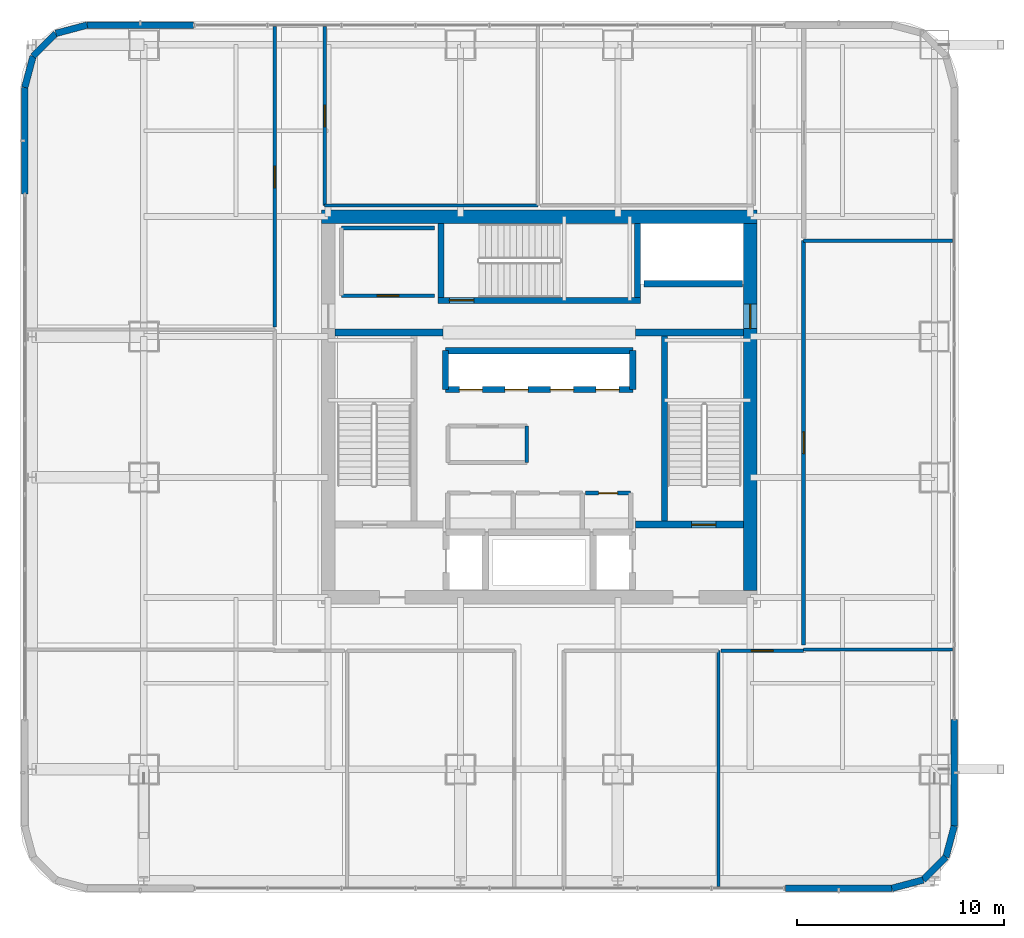
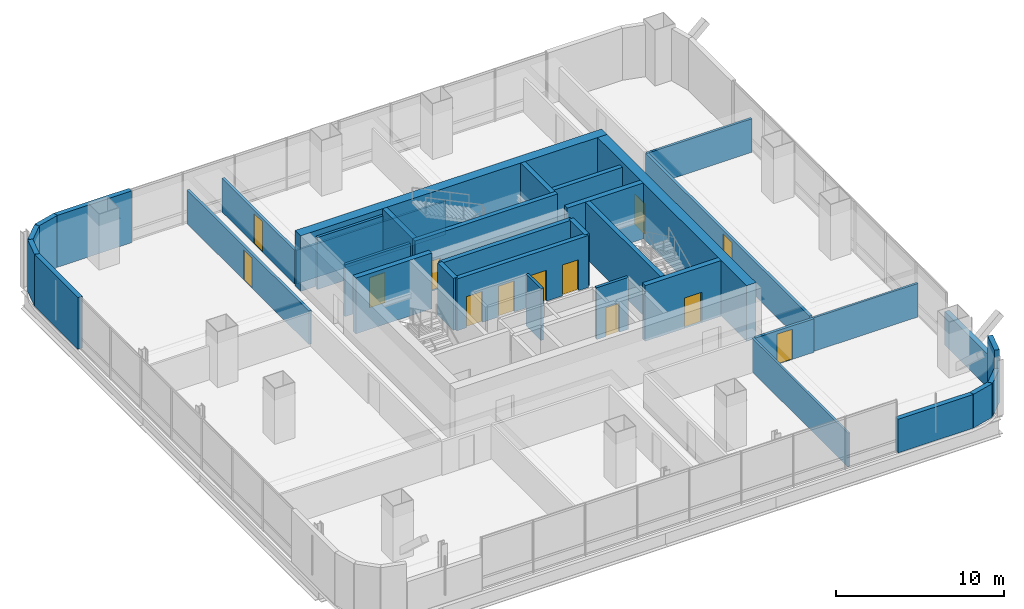
# One storey, part 33 of 46: 36 walls, 13 doors, 13 openings.
"""IFC4 building model written with IfcOpenShell, lengths in metres."""

from ifc_helpers import new_model, si_unit, direction, frame, frame_2d, origin, place, context, subcontext, project, spatial, rectangle, extrude, material, layer, layer_set, type_object, element, fill, save


model = new_model("IFC4")

# Units and contexts
model_context = context("Model", 3, precision=1e-05, world=origin(), true_north=direction((0.0, 1.0)))
body_context = subcontext(model_context, "Body", "Model", "MODEL_VIEW")
ifc_project = project(units=[si_unit("LENGTHUNIT", "METRE"), si_unit("AREAUNIT", "SQUARE_METRE"), si_unit("VOLUMEUNIT", "CUBIC_METRE"), si_unit("PLANEANGLEUNIT", "RADIAN"), si_unit("MASSUNIT", "GRAM", prefix="KILO")], contexts=[model_context])

# Site, building, storey
site_placement = place(None, origin())
site = spatial("IfcSite", under=ifc_project, at=site_placement, CompositionType="ELEMENT")
building_placement = place(site_placement, origin())
building = spatial("IfcBuilding", under=site, at=building_placement, Name="Punatoya Terracotta Tower", CompositionType="ELEMENT")
storey_placement = place(building_placement, frame((0.0, 0.0, 200.550048828125)))
storey = spatial("IfcBuildingStorey", under=building, at=storey_placement, Name="L47", CompositionType="ELEMENT", Elevation=200.550048828125)

# Wall
ifc_material_1 = material(Name="Concrete C60/75", Category="concrete")
ifc_layer_1 = layer(ifc_material_1, 0.64990234375)
ifc_layer_set_1 = layer_set([ifc_layer_1], Name="Concrete C60/75")
wall_type_1 = type_object("IfcWallType", Name="WL-COR-650", PredefinedType="SHEAR", material=ifc_layer_set_1)
wall_1_placement = place(storey_placement, frame((-10.52490234375, 9.199951171875, 0.0), z_axis=(0.0, 0.0, 1.0), x_axis=(1.0, 0.0, 0.0)))
element("IfcWall", 1, at=wall_1_placement, inside=storey, type_object=wall_type_1, Name="L47 Core Shear Wall N", PredefinedType="SHEAR", context=body_context, shape_type="SweptSolid", body=[
    extrude(rectangle(XDim=21.0498046875, YDim=0.64990234375, at=frame_2d((10.52490234375, 0.0))), origin(), (0.0, 0.0, 1.0), 4.050048828125),
])

# Wall, opening, door
wall_2_placement = place(storey_placement, frame((10.199951171875, 8.875, 0.0), z_axis=(0.0, 0.0, 1.0), x_axis=(0.0, -1.0, 0.0)))
wall_2 = element("IfcWall", 2, at=wall_2_placement, inside=storey, type_object=wall_type_1, Name="L47 Core Shear Wall E", PredefinedType="SHEAR", context=body_context, shape_type="SweptSolid", body=[
    extrude(rectangle(XDim=17.75, YDim=0.64990234375, at=frame_2d((8.875, 0.0))), origin(), (0.0, 0.0, 1.0), 4.050048828125),
])
opening_1_placement = place(wall_2_placement, frame((3.905029296875, 0.0, 0.0)))
opening_1 = element("IfcOpeningElement", 3, at=opening_1_placement, cuts=wall_2, Name="Opening SD-01", PredefinedType="OPENING", context=body_context, shape_type="SweptSolid", body=[
    extrude(rectangle(XDim=1.179931640625, YDim=2.199951171875, at=frame_2d((0.58984375, 1.10009765625))), frame((0.0, 0.3349609375, 0.0), z_axis=(0.0, -1.0, 0.0), x_axis=(1.0, 0.0, 0.0)), (0.0, 0.0, 1.0), 0.669921875),
])
ifc_material_2 = material(Name="Galvanised Steel Pressurized Stair Fire Door", Category="steel")
door_type_1 = type_object("IfcDoorType", Name="DR-STR-1180", OperationType="NOTDEFINED", PredefinedType="DOOR", material=ifc_material_2)
door_1_placement = place(opening_1_placement, origin())
door_1 = element("IfcDoor", 4, at=door_1_placement, inside=storey, type_object=door_type_1, Name="L47 Central Lift Lobby East Fire Door", OperationType="SINGLE_SWING_RIGHT", OverallHeight=2.199951171875, OverallWidth=1.179931640625, PredefinedType="DOOR", context=body_context, shape_type="SweptSolid", body=[
    extrude(rectangle(XDim=1.179931640625, YDim=2.199951171875, at=frame_2d((0.58984375, 1.10009765625))), frame((0.0, 0.02490234375, 0.0), z_axis=(0.0, -1.0, 0.0), x_axis=(1.0, 0.0, 0.0)), (0.0, 0.0, 1.0), 0.050048828125),
])
fill(opening_1, door_1)

# Walls
ifc_material_3 = material(Name="Gypsum Fireboard + Steel Stud", Category="steel")
ifc_layer_2 = layer(ifc_material_3, 0.179931640625)
ifc_layer_set_2 = layer_set([ifc_layer_2], Name="Gypsum Fireboard + Steel Stud")
wall_type_2 = type_object("IfcWallType", Name="WL-CORR-180", PredefinedType="PARTITIONING", material=ifc_layer_set_2)
wall_3_placement = place(storey_placement, frame((-0.60009765625, -2.679931640625, 0.0), z_axis=(0.0, 0.0, 1.0), x_axis=(0.0, 1.0, 0.0)))
element("IfcWall", 5, at=wall_3_placement, inside=storey, type_object=wall_type_2, Name="L47 West Core Archive Office Partition 08", PredefinedType="PARTITIONING", context=body_context, shape_type="SweptSolid", body=[
    extrude(rectangle(XDim=1.760009765625, YDim=0.179931640625, at=frame_2d((0.8798828125, 0.0))), origin(), (0.0, 0.0, 1.0), 3.77001953125),
])
wall_4_placement = place(storey_placement, frame((-5.050048828125, 8.64990234375, 0.0), z_axis=(0.0, 0.0, 1.0), x_axis=(-1.0, 0.0, 0.0)))
element("IfcWall", 6, at=wall_4_placement, inside=storey, type_object=wall_type_2, Name="L47 West Core Records Office Partition 12", PredefinedType="PARTITIONING", context=body_context, shape_type="SweptSolid", body=[
    extrude(rectangle(XDim=4.5, YDim=0.179931640625, at=frame_2d((2.25, 0.0))), origin(), (0.0, 0.0, 1.0), 3.77001953125),
])

# Wall, opening, door
wall_5_placement = place(storey_placement, frame((-9.550048828125, 5.3798828125, 0.0), z_axis=(0.0, 0.0, 1.0), x_axis=(1.0, 0.0, 0.0)))
wall_5 = element("IfcWall", 7, at=wall_5_placement, inside=storey, type_object=wall_type_2, Name="L47 West Core Records Office Partition 14", PredefinedType="PARTITIONING", context=body_context, shape_type="SweptSolid", body=[
    extrude(rectangle(XDim=4.5, YDim=0.179931640625, at=frame_2d((2.25, 0.0))), origin(), (0.0, 0.0, 1.0), 3.77001953125),
])
opening_2_placement = place(wall_5_placement, frame((1.72509765625, 0.0, 0.0)))
opening_2 = element("IfcOpeningElement", 8, at=opening_2_placement, cuts=wall_5, Name="Opening OD-01", PredefinedType="OPENING", context=body_context, shape_type="SweptSolid", body=[
    extrude(rectangle(XDim=1.050048828125, YDim=2.199951171875, at=frame_2d((0.52490234375, 1.10009765625))), frame((0.0, 0.099853515625, 0.0), z_axis=(0.0, -1.0, 0.0), x_axis=(1.0, 0.0, 0.0)), (0.0, 0.0, 1.0), 0.199951171875),
])
ifc_material_4 = material(Name="Bengal Teak Solid-Core Leaf")
door_type_2 = type_object("IfcDoorType", Name="DR-OFF-1050", OperationType="NOTDEFINED", PredefinedType="DOOR", material=ifc_material_4)
door_2_placement = place(opening_2_placement, origin())
door_2 = element("IfcDoor", 9, at=door_2_placement, inside=storey, type_object=door_type_2, Name="L47 West Records Office Door", OperationType="SINGLE_SWING_LEFT", OverallHeight=2.199951171875, OverallWidth=1.050048828125, PredefinedType="DOOR", context=body_context, shape_type="SweptSolid", body=[
    extrude(rectangle(XDim=1.050048828125, YDim=2.199951171875, at=frame_2d((0.52490234375, 1.10009765625))), frame((0.0, 0.02490234375, 0.0), z_axis=(0.0, -1.0, 0.0), x_axis=(1.0, 0.0, 0.0)), (0.0, 0.0, 1.0), 0.050048828125),
])
fill(opening_2, door_2)

wall_6_placement = place(storey_placement, frame((8.77197265625, -11.77001953125, 0.0), z_axis=(0.0, 0.0, 1.0), x_axis=(1.0, 0.0, 0.0)))
wall_6 = element("IfcWall", 10, at=wall_6_placement, inside=storey, type_object=wall_type_2, Name="L47 Open-Plan Environmental Research Laboratory Partition 23", PredefinedType="PARTITIONING", context=body_context, shape_type="SweptSolid", body=[
    extrude(rectangle(XDim=3.998046875, YDim=0.179931640625, at=frame_2d((1.9990234375, 0.0))), origin(), (0.0, 0.0, 1.0), 2.44384765625),
])
opening_3_placement = place(wall_6_placement, frame((1.47412109375, 0.0, 0.0)))
opening_3 = element("IfcOpeningElement", 11, at=opening_3_placement, cuts=wall_6, Name="Opening OD-01", PredefinedType="OPENING", context=body_context, shape_type="SweptSolid", body=[
    extrude(rectangle(XDim=1.050048828125, YDim=2.199951171875, at=frame_2d((0.52490234375, 1.10009765625))), frame((0.0, 0.099853515625, 0.0), z_axis=(0.0, -1.0, 0.0), x_axis=(1.0, 0.0, 0.0)), (0.0, 0.0, 1.0), 0.199951171875),
])
door_3_placement = place(opening_3_placement, origin())
door_3 = element("IfcDoor", 12, at=door_3_placement, inside=storey, type_object=door_type_2, Name="L47 Open-Plan Environmental Research Laboratory Door", OperationType="SINGLE_SWING_LEFT", OverallHeight=2.199951171875, OverallWidth=1.050048828125, PredefinedType="DOOR", context=body_context, shape_type="SweptSolid", body=[
    extrude(rectangle(XDim=1.050048828125, YDim=2.199951171875, at=frame_2d((0.52490234375, 1.10009765625))), frame((0.0, 0.02490234375, 0.0), z_axis=(0.0, -1.0, 0.0), x_axis=(1.0, 0.0, 0.0)), (0.0, 0.0, 1.0), 0.050048828125),
])
fill(opening_3, door_3)

wall_7_placement = place(storey_placement, frame((12.77001953125, -11.489990234375, 0.0), z_axis=(0.0, 0.0, 1.0), x_axis=(0.0, 1.0, 0.0)))
wall_7 = element("IfcWall", 13, at=wall_7_placement, inside=storey, type_object=wall_type_2, Name="L47 Open-Plan Laboratory Staff Pantry Partition 27", PredefinedType="PARTITIONING", context=body_context, shape_type="SweptSolid", body=[
    extrude(rectangle(XDim=19.528076171875, YDim=0.179931640625, at=frame_2d((9.76416015625, 0.0))), origin(), (0.0, 0.0, 1.0), 2.44384765625),
])
opening_4_placement = place(wall_7_placement, frame((9.239013671875, 0.0, 0.0)))
opening_4 = element("IfcOpeningElement", 14, at=opening_4_placement, cuts=wall_7, Name="Opening OD-01", PredefinedType="OPENING", context=body_context, shape_type="SweptSolid", body=[
    extrude(rectangle(XDim=1.050048828125, YDim=2.199951171875, at=frame_2d((0.52490234375, 1.10009765625))), frame((0.0, 0.099853515625, 0.0), z_axis=(0.0, -1.0, 0.0), x_axis=(1.0, 0.0, 0.0)), (0.0, 0.0, 1.0), 0.199951171875),
])
door_4_placement = place(opening_4_placement, origin())
door_4 = element("IfcDoor", 15, at=door_4_placement, inside=storey, type_object=door_type_2, Name="L47 Open-Plan Laboratory Staff Pantry Door", OperationType="SINGLE_SWING_LEFT", OverallHeight=2.199951171875, OverallWidth=1.050048828125, PredefinedType="DOOR", context=body_context, shape_type="SweptSolid", body=[
    extrude(rectangle(XDim=1.050048828125, YDim=2.199951171875, at=frame_2d((0.52490234375, 1.10009765625))), frame((0.0, 0.02490234375, 0.0), z_axis=(0.0, -1.0, 0.0), x_axis=(1.0, 0.0, 0.0)), (0.0, 0.0, 1.0), 0.050048828125),
])
fill(opening_4, door_4)

wall_8_placement = place(storey_placement, frame((-12.77001953125, 18.3701171875, 0.0), z_axis=(0.0, 0.0, 1.0), x_axis=(0.0, -1.0, 0.0)))
wall_8 = element("IfcWall", 16, at=wall_8_placement, inside=storey, type_object=wall_type_2, Name="L47 Wellness Rest Room Partition 29", PredefinedType="PARTITIONING", context=body_context, shape_type="SweptSolid", body=[
    extrude(rectangle(XDim=14.510009765625, YDim=0.179931640625, at=frame_2d((7.2548828125, 0.0))), origin(), (0.0, 0.0, 1.0), 2.44384765625),
])
opening_5_placement = place(wall_8_placement, frame((6.72998046875, 0.0, 0.0)))
opening_5 = element("IfcOpeningElement", 17, at=opening_5_placement, cuts=wall_8, Name="Opening OD-01", PredefinedType="OPENING", context=body_context, shape_type="SweptSolid", body=[
    extrude(rectangle(XDim=1.050048828125, YDim=2.199951171875, at=frame_2d((0.52490234375, 1.10009765625))), frame((0.0, 0.099853515625, 0.0), z_axis=(0.0, -1.0, 0.0), x_axis=(1.0, 0.0, 0.0)), (0.0, 0.0, 1.0), 0.199951171875),
])
door_5_placement = place(opening_5_placement, origin())
door_5 = element("IfcDoor", 18, at=door_5_placement, inside=storey, type_object=door_type_2, Name="L47 Wellness Rest Room Door", OperationType="SINGLE_SWING_RIGHT", OverallHeight=2.199951171875, OverallWidth=1.050048828125, PredefinedType="DOOR", context=body_context, shape_type="SweptSolid", body=[
    extrude(rectangle(XDim=1.050048828125, YDim=2.199951171875, at=frame_2d((0.52490234375, 1.10009765625))), frame((0.0, 0.02490234375, 0.0), z_axis=(0.0, -1.0, 0.0), x_axis=(1.0, 0.0, 0.0)), (0.0, 0.0, 1.0), 0.050048828125),
])
fill(opening_5, door_5)

wall_9_placement = place(storey_placement, frame((-10.360107421875, 9.739990234375, 0.0), z_axis=(0.0, 0.0, 1.0), x_axis=(0.0, 1.0, 0.0)))
wall_9 = element("IfcWall", 19, at=wall_9_placement, inside=storey, type_object=wall_type_2, Name="L47 Open-Plan Hydrology Modelling Laboratory Partition 33", PredefinedType="PARTITIONING", context=body_context, shape_type="SweptSolid", body=[
    extrude(rectangle(XDim=8.630126953125, YDim=0.179931640625, at=frame_2d((4.31494140625, 0.0))), origin(), (0.0, 0.0, 1.0), 2.44384765625),
])
opening_6_placement = place(wall_9_placement, frame((3.7900390625, 0.0, 0.0)))
opening_6 = element("IfcOpeningElement", 20, at=opening_6_placement, cuts=wall_9, Name="Opening OD-01", PredefinedType="OPENING", context=body_context, shape_type="SweptSolid", body=[
    extrude(rectangle(XDim=1.050048828125, YDim=2.199951171875, at=frame_2d((0.52490234375, 1.10009765625))), frame((0.0, 0.099853515625, 0.0), z_axis=(0.0, -1.0, 0.0), x_axis=(1.0, 0.0, 0.0)), (0.0, 0.0, 1.0), 0.199951171875),
])
door_6_placement = place(opening_6_placement, origin())
door_6 = element("IfcDoor", 21, at=door_6_placement, inside=storey, type_object=door_type_2, Name="L47 Open-Plan Hydrology Modelling Laboratory Door", OperationType="SINGLE_SWING_RIGHT", OverallHeight=2.199951171875, OverallWidth=1.050048828125, PredefinedType="DOOR", context=body_context, shape_type="SweptSolid", body=[
    extrude(rectangle(XDim=1.050048828125, YDim=2.199951171875, at=frame_2d((0.52490234375, 1.10009765625))), frame((0.0, 0.02490234375, 0.0), z_axis=(0.0, -1.0, 0.0), x_axis=(1.0, 0.0, 0.0)), (0.0, 0.0, 1.0), 0.050048828125),
])
fill(opening_6, door_6)

# Walls
ifc_material_5 = material(Name="Precast concrete C40/50", Category="concrete")
ifc_layer_3 = layer(ifc_material_5, 0.320068359375)
ifc_layer_set_3 = layer_set([ifc_layer_3], Name="Precast concrete C40/50")
wall_type_3 = type_object("IfcWallType", Name="WL-EXT-320", PredefinedType="SOLIDWALL", material=ifc_layer_set_3)
wall_10_placement = place(storey_placement, frame((11.89990234375, -23.25, 0.0), z_axis=(0.0, 0.0, 1.0), x_axis=(1.0, 0.0, 0.0)))
element("IfcWall", 22, at=wall_10_placement, inside=storey, type_object=wall_type_3, Name="L47 Terracotta Braced Facade Wall S2", PredefinedType="SOLIDWALL", context=body_context, shape_type="SweptSolid", body=[
    extrude(rectangle(XDim=5.136962890625, YDim=0.320068359375, at=frame_2d((2.568359375, 0.0))), origin(), (0.0, 0.0, 1.0), 2.44384765625),
])
wall_11_placement = place(storey_placement, frame((17.036865234375, -23.25, 0.0), z_axis=(0.0, 0.0, 1.0), x_axis=(0.966224582397, 0.257701486942, 0.0)))
element("IfcWall", 23, at=wall_11_placement, inside=storey, type_object=wall_type_3, Name="L47 Rounded Terracotta Corner Pier 02", PredefinedType="SOLIDWALL", context=body_context, shape_type="SweptSolid", body=[
    extrude(rectangle(XDim=1.565185546875, YDim=0.320068359375, at=frame_2d((0.78271484375, 0.0))), origin(), (0.0, 0.0, 1.0), 2.44384765625),
])
wall_12_placement = place(storey_placement, frame((18.549072265625, -22.8466796875, 0.0), z_axis=(0.0, 0.0, 1.0), x_axis=(0.707028130747, 0.707185422879, 0.0)))
element("IfcWall", 24, at=wall_12_placement, inside=storey, type_object=wall_type_3, Name="L47 Rounded Terracotta Corner Pier 03", PredefinedType="SOLIDWALL", context=body_context, shape_type="SweptSolid", body=[
    extrude(rectangle(XDim=1.55224609375, YDim=0.320068359375, at=frame_2d((0.776123046875, 0.0))), origin(), (0.0, 0.0, 1.0), 2.44384765625),
])
wall_13_placement = place(storey_placement, frame((19.646484375, -21.7490234375, 0.0), z_axis=(0.0, 0.0, 1.0), x_axis=(0.257847112249, 0.966185730957, 0.0)))
element("IfcWall", 25, at=wall_13_placement, inside=storey, type_object=wall_type_3, Name="L47 Rounded Terracotta Corner Pier 04", PredefinedType="SOLIDWALL", context=body_context, shape_type="SweptSolid", body=[
    extrude(rectangle(XDim=1.565185546875, YDim=0.320068359375, at=frame_2d((0.78271484375, 0.0))), origin(), (0.0, 0.0, 1.0), 3.77001953125),
])
wall_14_placement = place(storey_placement, frame((20.050048828125, -20.23681640625, 0.0), z_axis=(0.0, 0.0, 1.0), x_axis=(0.0, 1.0, 0.0)))
element("IfcWall", 26, at=wall_14_placement, inside=storey, type_object=wall_type_3, Name="L47 Terracotta Braced Facade Wall E1", PredefinedType="SOLIDWALL", context=body_context, shape_type="SweptSolid", body=[
    extrude(rectangle(XDim=5.13671875, YDim=0.320068359375, at=frame_2d((2.568359375, 0.0))), origin(), (0.0, 0.0, 1.0), 2.44384765625),
])
wall_15_placement = place(storey_placement, frame((-16.699951171875, 18.449951171875, 0.0), z_axis=(0.0, 0.0, 1.0), x_axis=(-1.0, 0.0, 0.0)))
element("IfcWall", 27, at=wall_15_placement, inside=storey, type_object=wall_type_3, Name="L47 Terracotta Braced Facade Wall N2", PredefinedType="SOLIDWALL", context=body_context, shape_type="SweptSolid", body=[
    extrude(rectangle(XDim=5.136962890625, YDim=0.320068359375, at=frame_2d((2.568359375, 0.0))), origin(), (0.0, 0.0, 1.0), 3.77001953125),
])
wall_16_placement = place(storey_placement, frame((-21.8369140625, 18.449951171875, 0.0), z_axis=(0.0, 0.0, 1.0), x_axis=(-0.966224582397, -0.257701486942, 0.0)))
element("IfcWall", 28, at=wall_16_placement, inside=storey, type_object=wall_type_3, Name="L47 Rounded Terracotta Corner Pier 10", PredefinedType="SOLIDWALL", context=body_context, shape_type="SweptSolid", body=[
    extrude(rectangle(XDim=1.565185546875, YDim=0.320068359375, at=frame_2d((0.78271484375, 0.0))), origin(), (0.0, 0.0, 1.0), 3.77001953125),
])
wall_17_placement = place(storey_placement, frame((-23.34912109375, 18.046630859375, 0.0), z_axis=(0.0, 0.0, 1.0), x_axis=(-0.707106781187, -0.707106781187, 0.0)))
element("IfcWall", 29, at=wall_17_placement, inside=storey, type_object=wall_type_3, Name="L47 Rounded Terracotta Corner Pier 11", PredefinedType="SOLIDWALL", context=body_context, shape_type="SweptSolid", body=[
    extrude(rectangle(XDim=1.552001953125, YDim=0.320068359375, at=frame_2d((0.77587890625, 0.0))), origin(), (0.0, 0.0, 1.0), 3.77001953125),
])
wall_18_placement = place(storey_placement, frame((-24.446533203125, 16.94921875, 0.0), z_axis=(0.0, 0.0, 1.0), x_axis=(-0.257847112249, -0.966185730957, 0.0)))
element("IfcWall", 30, at=wall_18_placement, inside=storey, type_object=wall_type_3, Name="L47 Rounded Terracotta Corner Pier 12", PredefinedType="SOLIDWALL", context=body_context, shape_type="SweptSolid", body=[
    extrude(rectangle(XDim=1.565185546875, YDim=0.320068359375, at=frame_2d((0.78271484375, 0.0))), origin(), (0.0, 0.0, 1.0), 3.77001953125),
])
wall_19_placement = place(storey_placement, frame((-24.85009765625, 15.43701171875, 0.0), z_axis=(0.0, 0.0, 1.0), x_axis=(0.0, -1.0, 0.0)))
element("IfcWall", 31, at=wall_19_placement, inside=storey, type_object=wall_type_3, Name="L47 Terracotta Braced Facade Wall W1", PredefinedType="SOLIDWALL", context=body_context, shape_type="SweptSolid", body=[
    extrude(rectangle(XDim=5.136962890625, YDim=0.320068359375, at=frame_2d((2.568359375, 0.0))), origin(), (0.0, 0.0, 1.0), 3.77001953125),
])

# Wall, opening, door
ifc_material_6 = material(Name="Concrete C40/50", Category="concrete")
ifc_layer_4 = layer(ifc_material_6, 0.199951171875)
ifc_layer_set_4 = layer_set([ifc_layer_4], Name="Concrete C40/50")
wall_type_4 = type_object("IfcWallType", Name="WL-INT-200", PredefinedType="SOLIDWALL", material=ifc_layer_set_4)
wall_20_placement = place(storey_placement, frame((4.419921875, -4.159912109375, 0.0), z_axis=(0.0, 0.0, 1.0), x_axis=(-1.0, 0.0, 0.0)))
wall_20 = element("IfcWall", 32, at=wall_20_placement, inside=storey, type_object=wall_type_4, Name="L47 Core Electrical Switchgear Room Partition 07", PredefinedType="SOLIDWALL", context=body_context, shape_type="SweptSolid", body=[
    extrude(rectangle(XDim=2.179931640625, YDim=0.199951171875, at=frame_2d((1.08984375, 0.0))), origin(), (0.0, 0.0, 1.0), 3.77001953125),
])
opening_7_placement = place(wall_20_placement, frame((0.6298828125, 0.0, 0.0)))
opening_7 = element("IfcOpeningElement", 33, at=opening_7_placement, cuts=wall_20, Name="Opening FD-R1", PredefinedType="OPENING", context=body_context, shape_type="SweptSolid", body=[
    extrude(rectangle(XDim=0.919921875, YDim=2.10009765625, at=frame_2d((0.4599609375, 1.050048828125))), frame((0.0, 0.10986328125, 0.0), z_axis=(0.0, -1.0, 0.0), x_axis=(1.0, 0.0, 0.0)), (0.0, 0.0, 1.0), 0.219970703125),
])
ifc_material_7 = material(Name="Galvanised Steel Riser Fire Access Door", Category="steel")
door_type_3 = type_object("IfcDoorType", Name="DR-RSR-920", OperationType="NOTDEFINED", PredefinedType="DOOR", material=ifc_material_7)
door_7_placement = place(opening_7_placement, origin())
door_7 = element("IfcDoor", 34, at=door_7_placement, inside=storey, type_object=door_type_3, Name="L47 Core Electrical Switchgear Room Fire Door", OperationType="SINGLE_SWING_LEFT", OverallHeight=2.10009765625, OverallWidth=0.919921875, PredefinedType="DOOR", context=body_context, shape_type="SweptSolid", body=[
    extrude(rectangle(XDim=0.919921875, YDim=2.10009765625, at=frame_2d((0.4599609375, 1.050048828125))), frame((0.0, 0.02490234375, 0.0), z_axis=(0.0, -1.0, 0.0), x_axis=(1.0, 0.0, 0.0)), (0.0, 0.0, 1.0), 0.050048828125),
])
fill(opening_7, door_7)

# Walls
ifc_material_8 = material(Name="Acoustic Gypsum + Steel Stud", Category="steel")
ifc_layer_5 = layer(ifc_material_8, 0.139892578125)
ifc_layer_set_5 = layer_set([ifc_layer_5], Name="Acoustic Gypsum + Steel Stud")
wall_type_5 = type_object("IfcWallType", Name="WL-OFF-140", PredefinedType="PARTITIONING", material=ifc_layer_set_5)
wall_21_placement = place(storey_placement, frame((8.652099609375, -11.77001953125, 0.0), z_axis=(0.0, 0.0, 1.0), x_axis=(0.0, -1.0, 0.0)))
element("IfcWall", 35, at=wall_21_placement, inside=storey, type_object=wall_type_5, Name="L47 Open-Plan Cartography Reference Library Partition 20", PredefinedType="PARTITIONING", context=body_context, shape_type="SweptSolid", body=[
    extrude(rectangle(XDim=11.39990234375, YDim=0.139892578125, at=frame_2d((5.699951171875, 0.0))), origin(), (0.0, 0.0, 1.0), 2.44384765625),
])
wall_22_placement = place(storey_placement, frame((12.77001953125, -11.7099609375, 0.0), z_axis=(0.0, 0.0, 1.0), x_axis=(1.0, 0.0, 0.0)))
element("IfcWall", 36, at=wall_22_placement, inside=storey, type_object=wall_type_5, Name="L47 Open-Plan Environmental Research Laboratory Partition 24", PredefinedType="PARTITIONING", context=body_context, shape_type="SweptSolid", body=[
    extrude(rectangle(XDim=7.199951171875, YDim=0.139892578125, at=frame_2d((3.60009765625, 0.0))), origin(), (0.0, 0.0, 1.0), 2.44384765625),
])
wall_23_placement = place(storey_placement, frame((-0.06005859375, 9.739990234375, 0.0), z_axis=(0.0, 0.0, 1.0), x_axis=(-1.0, 0.0, 0.0)))
element("IfcWall", 37, at=wall_23_placement, inside=storey, type_object=wall_type_5, Name="L47 Open-Plan Hydrology Modelling Laboratory Partition 32", PredefinedType="PARTITIONING", context=body_context, shape_type="SweptSolid", body=[
    extrude(rectangle(XDim=10.300048828125, YDim=0.139892578125, at=frame_2d((5.14990234375, 0.0))), origin(), (0.0, 0.0, 1.0), 2.44384765625),
])
ifc_layer_6 = layer(ifc_material_6, 0.300048828125)
ifc_layer_set_6 = layer_set([ifc_layer_6], Name="Concrete C40/50")
wall_type_6 = type_object("IfcWallType", Name="WL-SHF-300", PredefinedType="SOLIDWALL", material=ifc_layer_set_6)
wall_24_placement = place(storey_placement, frame((6.050048828125, 3.449951171875, 0.0), z_axis=(0.0, 0.0, 1.0), x_axis=(0.0, -1.0, 0.0)))
element("IfcWall", 38, at=wall_24_placement, inside=storey, type_object=wall_type_6, Name="L47 Structural Stair Shaft Wall SW-ST2-W", PredefinedType="SOLIDWALL", context=body_context, shape_type="SweptSolid", body=[
    extrude(rectangle(XDim=8.949951171875, YDim=0.300048828125, at=frame_2d((4.47509765625, 0.0))), origin(), (0.0, 0.0, 1.0), 4.050048828125),
])
for number, where, z_axis, x_axis, name in (
    (39, (-4.75, 5.300048828125, 0.0), (0.0, 0.0, 1.0), (0.0, 1.0, 0.0), "L47 Structural Stair Shaft Wall SW-ST3-W"),
    (40, (4.75, 8.875, 0.0), (0.0, 0.0, 1.0), (0.0, -1.0, 0.0), "L47 Structural Stair Shaft Wall SW-ST3-E"),
):
    element("IfcWall", number, at=place(storey_placement, frame(where, z_axis=z_axis, x_axis=x_axis)), inside=storey, type_object=wall_type_6, Name=name, PredefinedType="SOLIDWALL", context=body_context, shape_type="SweptSolid", body=[
        extrude(rectangle(XDim=3.574951171875, YDim=0.300048828125, at=frame_2d((1.78759765625, 0.0))), origin(), (0.0, 0.0, 1.0), 4.050048828125),
    ])

# Wall, opening, door
wall_25_placement = place(storey_placement, frame((-4.89990234375, 5.14990234375, 0.0), z_axis=(0.0, 0.0, 1.0), x_axis=(1.0, 0.0, 0.0)))
wall_25 = element("IfcWall", 41, at=wall_25_placement, inside=storey, type_object=wall_type_6, Name="L47 Structural Stair Shaft Wall SW-ST3-S", PredefinedType="SOLIDWALL", context=body_context, shape_type="SweptSolid", body=[
    extrude(rectangle(XDim=9.7998046875, YDim=0.300048828125, at=frame_2d((4.89990234375, 0.0))), origin(), (0.0, 0.0, 1.0), 4.050048828125),
])
opening_8_placement = place(wall_25_placement, frame((0.56005859375, 0.0, 0.0)))
opening_8 = element("IfcOpeningElement", 42, at=opening_8_placement, cuts=wall_25, Name="Opening SD-01", PredefinedType="OPENING", context=body_context, shape_type="SweptSolid", body=[
    extrude(rectangle(XDim=1.179931640625, YDim=2.199951171875, at=frame_2d((0.58984375, 1.10009765625))), frame((0.0, 0.159912109375, 0.0), z_axis=(0.0, -1.0, 0.0), x_axis=(1.0, 0.0, 0.0)), (0.0, 0.0, 1.0), 0.320068359375),
])
door_8_placement = place(opening_8_placement, origin())
door_8 = element("IfcDoor", 43, at=door_8_placement, inside=storey, type_object=door_type_1, Name="L47 Stair ST-3 Core Lobby Fire Door", OperationType="SINGLE_SWING_LEFT", OverallHeight=2.199951171875, OverallWidth=1.179931640625, PredefinedType="DOOR", context=body_context, shape_type="SweptSolid", body=[
    extrude(rectangle(XDim=1.179931640625, YDim=2.199951171875, at=frame_2d((0.58984375, 1.10009765625))), frame((0.0, 0.02490234375, 0.0), z_axis=(0.0, -1.0, 0.0), x_axis=(1.0, 0.0, 0.0)), (0.0, 0.0, 1.0), 0.050048828125),
])
fill(opening_8, door_8)

# Wall, openings, doors
wall_26_placement = place(storey_placement, frame((-4.52001953125, 0.840087890625, 0.0), z_axis=(0.0, 0.0, 1.0), x_axis=(1.0, 0.0, 0.0)))
wall_26 = element("IfcWall", 44, at=wall_26_placement, inside=storey, type_object=wall_type_6, Name="L47 North Lift Bank Front Shaft Wall", PredefinedType="SOLIDWALL", context=body_context, shape_type="SweptSolid", body=[
    extrude(rectangle(XDim=9.0400390625, YDim=0.300048828125, at=frame_2d((4.52001953125, 0.0))), origin(), (0.0, 0.0, 1.0), 3.77001953125),
])
opening_9_placement = place(wall_26_placement, frame((0.659912109375, 0.0, 0.0)))
opening_9 = element("IfcOpeningElement", 45, at=opening_9_placement, cuts=wall_26, Name="Opening LD-02", PredefinedType="OPENING", context=body_context, shape_type="SweptSolid", body=[
    extrude(rectangle(XDim=1.1201171875, YDim=2.25, at=frame_2d((0.56005859375, 1.125))), frame((0.0, 0.159912109375, 0.0), z_axis=(0.0, -1.0, 0.0), x_axis=(1.0, 0.0, 0.0)), (0.0, 0.0, 1.0), 0.320068359375),
])
opening_10_placement = place(wall_26_placement, frame((2.860107421875, 0.0, 0.0)))
opening_10 = element("IfcOpeningElement", 46, at=opening_10_placement, cuts=wall_26, Name="Opening LD-02", PredefinedType="OPENING", context=body_context, shape_type="SweptSolid", body=[
    extrude(rectangle(XDim=1.1201171875, YDim=2.25, at=frame_2d((0.56005859375, 1.125))), frame((0.0, 0.159912109375, 0.0), z_axis=(0.0, -1.0, 0.0), x_axis=(1.0, 0.0, 0.0)), (0.0, 0.0, 1.0), 0.320068359375),
])
opening_11_placement = place(wall_26_placement, frame((5.06005859375, 0.0, 0.0)))
opening_11 = element("IfcOpeningElement", 47, at=opening_11_placement, cuts=wall_26, Name="Opening LD-02", PredefinedType="OPENING", context=body_context, shape_type="SweptSolid", body=[
    extrude(rectangle(XDim=1.1201171875, YDim=2.25, at=frame_2d((0.56005859375, 1.125))), frame((0.0, 0.159912109375, 0.0), z_axis=(0.0, -1.0, 0.0), x_axis=(1.0, 0.0, 0.0)), (0.0, 0.0, 1.0), 0.320068359375),
])
opening_12_placement = place(wall_26_placement, frame((7.260009765625, 0.0, 0.0)))
opening_12 = element("IfcOpeningElement", 48, at=opening_12_placement, cuts=wall_26, Name="Opening LD-02", PredefinedType="OPENING", context=body_context, shape_type="SweptSolid", body=[
    extrude(rectangle(XDim=1.1201171875, YDim=2.25, at=frame_2d((0.56005859375, 1.125))), frame((0.0, 0.159912109375, 0.0), z_axis=(0.0, -1.0, 0.0), x_axis=(1.0, 0.0, 0.0)), (0.0, 0.0, 1.0), 0.320068359375),
])
ifc_material_9 = material(Name="Stainless Steel Lift Landing Door", Category="steel")
door_type_4 = type_object("IfcDoorType", Name="DR-LND-1120", OperationType="NOTDEFINED", PredefinedType="DOOR", material=ifc_material_9)
door_9_placement = place(opening_9_placement, origin())
door_9 = element("IfcDoor", 49, at=door_9_placement, inside=storey, type_object=door_type_4, Name="L47 Lift PL-M1 Sliding Landing Door", OperationType="DOUBLE_DOOR_SLIDING", OverallHeight=2.25, OverallWidth=1.1201171875, PredefinedType="DOOR", context=body_context, shape_type="SweptSolid", body=[
    extrude(rectangle(XDim=1.1201171875, YDim=2.25, at=frame_2d((0.56005859375, 1.125))), frame((0.0, 0.02490234375, 0.0), z_axis=(0.0, -1.0, 0.0), x_axis=(1.0, 0.0, 0.0)), (0.0, 0.0, 1.0), 0.050048828125),
])
fill(opening_9, door_9)
door_10_placement = place(opening_10_placement, origin())
door_10 = element("IfcDoor", 50, at=door_10_placement, inside=storey, type_object=door_type_4, Name="L47 Lift PL-M2 Sliding Landing Door", OperationType="DOUBLE_DOOR_SLIDING", OverallHeight=2.25, OverallWidth=1.1201171875, PredefinedType="DOOR", context=body_context, shape_type="SweptSolid", body=[
    extrude(rectangle(XDim=1.1201171875, YDim=2.25, at=frame_2d((0.56005859375, 1.125))), frame((0.0, 0.02490234375, 0.0), z_axis=(0.0, -1.0, 0.0), x_axis=(1.0, 0.0, 0.0)), (0.0, 0.0, 1.0), 0.050048828125),
])
fill(opening_10, door_10)
door_11_placement = place(opening_11_placement, origin())
door_11 = element("IfcDoor", 51, at=door_11_placement, inside=storey, type_object=door_type_4, Name="L47 Lift PL-M3 Sliding Landing Door", OperationType="DOUBLE_DOOR_SLIDING", OverallHeight=2.25, OverallWidth=1.1201171875, PredefinedType="DOOR", context=body_context, shape_type="SweptSolid", body=[
    extrude(rectangle(XDim=1.1201171875, YDim=2.25, at=frame_2d((0.56005859375, 1.125))), frame((0.0, 0.02490234375, 0.0), z_axis=(0.0, -1.0, 0.0), x_axis=(1.0, 0.0, 0.0)), (0.0, 0.0, 1.0), 0.050048828125),
])
fill(opening_11, door_11)
door_12_placement = place(opening_12_placement, origin())
door_12 = element("IfcDoor", 52, at=door_12_placement, inside=storey, type_object=door_type_4, Name="L47 Lift PL-M4 Sliding Landing Door", OperationType="DOUBLE_DOOR_SLIDING", OverallHeight=2.25, OverallWidth=1.1201171875, PredefinedType="DOOR", context=body_context, shape_type="SweptSolid", body=[
    extrude(rectangle(XDim=1.1201171875, YDim=2.25, at=frame_2d((0.56005859375, 1.125))), frame((0.0, 0.02490234375, 0.0), z_axis=(0.0, -1.0, 0.0), x_axis=(1.0, 0.0, 0.0)), (0.0, 0.0, 1.0), 0.050048828125),
])
fill(opening_12, door_12)

# Walls
wall_27_placement = place(storey_placement, frame((-4.52001953125, 2.719970703125, 0.0), z_axis=(0.0, 0.0, 1.0), x_axis=(1.0, 0.0, 0.0)))
element("IfcWall", 53, at=wall_27_placement, inside=storey, type_object=wall_type_6, Name="L47 North Lift Bank Rear Shaft Wall", PredefinedType="SOLIDWALL", context=body_context, shape_type="SweptSolid", body=[
    extrude(rectangle(XDim=9.0400390625, YDim=0.300048828125, at=frame_2d((4.52001953125, 0.0))), origin(), (0.0, 0.0, 1.0), 3.77001953125),
])
for number, where, z_axis, x_axis, name in (
    (54, (-4.52001953125, 0.840087890625, 0.0), (0.0, 0.0, 1.0), (0.0, 1.0, 0.0), "L47 North Lift Bank West End Wall"),
    (55, (4.52001953125, 0.840087890625, 0.0), (0.0, 0.0, 1.0), (0.0, 1.0, 0.0), "L47 North Lift Bank East End Wall"),
):
    element("IfcWall", number, at=place(storey_placement, frame(where, z_axis=z_axis, x_axis=x_axis)), inside=storey, type_object=wall_type_6, Name=name, PredefinedType="SOLIDWALL", context=body_context, shape_type="SweptSolid", body=[
        extrude(rectangle(XDim=1.8798828125, YDim=0.300048828125, at=frame_2d((0.93994140625, 0.0))), origin(), (0.0, 0.0, 1.0), 3.77001953125),
    ])
wall_28_placement = place(storey_placement, frame((5.06005859375, 5.949951171875, 0.0), z_axis=(0.0, 0.0, 1.0), x_axis=(1.0, 0.0, 0.0)))
element("IfcWall", 56, at=wall_28_placement, inside=storey, type_object=wall_type_6, Name="L47 Shuttle SL-2 South Hoistway Wall", PredefinedType="SOLIDWALL", context=body_context, shape_type="SweptSolid", body=[
    extrude(rectangle(XDim=4.760009765625, YDim=0.300048828125, at=frame_2d((2.3798828125, 0.0))), origin(), (0.0, 0.0, 1.0), 3.77001953125),
])

# Wall, opening, door
ifc_material_10 = material(Name="Concrete C50/60", Category="concrete")
ifc_layer_7 = layer(ifc_material_10, 0.35009765625)
ifc_layer_set_7 = layer_set([ifc_layer_7], Name="Concrete C50/60")
wall_type_7 = type_object("IfcWallType", Name="WL-SHF-350", PredefinedType="SOLIDWALL", material=ifc_layer_set_7)
wall_29_placement = place(storey_placement, frame((4.64990234375, -5.679931640625, 0.0), z_axis=(0.0, 0.0, 1.0), x_axis=(1.0, 0.0, 0.0)))
wall_29 = element("IfcWall", 57, at=wall_29_placement, inside=storey, type_object=wall_type_7, Name="L47 Core Web Wall CSW-R", PredefinedType="SOLIDWALL", context=body_context, shape_type="SweptSolid", body=[
    extrude(rectangle(XDim=5.22509765625, YDim=0.35009765625, at=frame_2d((2.612548828125, 0.0))), origin(), (0.0, 0.0, 1.0), 4.050048828125),
])
opening_13_placement = place(wall_29_placement, frame((2.7099609375, 0.0, 0.0)))
opening_13 = element("IfcOpeningElement", 58, at=opening_13_placement, cuts=wall_29, Name="Opening SD-01", PredefinedType="OPENING", context=body_context, shape_type="SweptSolid", body=[
    extrude(rectangle(XDim=1.179931640625, YDim=2.199951171875, at=frame_2d((0.58984375, 1.10009765625))), frame((0.0, 0.18505859375, 0.0), z_axis=(0.0, -1.0, 0.0), x_axis=(1.0, 0.0, 0.0)), (0.0, 0.0, 1.0), 0.3701171875),
])
door_13_placement = place(opening_13_placement, origin())
door_13 = element("IfcDoor", 59, at=door_13_placement, inside=storey, type_object=door_type_1, Name="L47 Stair ST-2 Smokeproof Lobby Fire Door", OperationType="SINGLE_SWING_RIGHT", OverallHeight=2.199951171875, OverallWidth=1.179931640625, PredefinedType="DOOR", context=body_context, shape_type="SweptSolid", body=[
    extrude(rectangle(XDim=1.179931640625, YDim=2.199951171875, at=frame_2d((0.58984375, 1.10009765625))), frame((0.0, 0.02490234375, 0.0), z_axis=(0.0, -1.0, 0.0), x_axis=(1.0, 0.0, 0.0)), (0.0, 0.0, 1.0), 0.050048828125),
])
fill(opening_13, door_13)

# Walls
for number, where, z_axis, x_axis, name in (
    (60, (-9.875, 3.60009765625, 0.0), (0.0, 0.0, 1.0), (1.0, 0.0, 0.0), "L47 Core Web Wall CNW-L"),
    (61, (4.64990234375, 3.60009765625, 0.0), (0.0, 0.0, 1.0), (1.0, 0.0, 0.0), "L47 Core Web Wall CNW-R"),
):
    element("IfcWall", number, at=place(storey_placement, frame(where, z_axis=z_axis, x_axis=x_axis)), inside=storey, type_object=wall_type_7, Name=name, PredefinedType="SOLIDWALL", context=body_context, shape_type="SweptSolid", body=[
        extrude(rectangle(XDim=5.22509765625, YDim=0.35009765625, at=frame_2d((2.612548828125, 0.0))), origin(), (0.0, 0.0, 1.0), 4.050048828125),
    ])
ifc_material_11 = material(Name="Masonry Blockwork + Ceramic Tile", Category="masonry")
ifc_layer_8 = layer(ifc_material_11, 0.159912109375)
ifc_layer_set_8 = layer_set([ifc_layer_8], Name="Masonry Blockwork + Ceramic Tile")
wall_type_8 = type_object("IfcWallType", Name="WL-WET-160", PredefinedType="PARTITIONING", material=ifc_layer_set_8)
wall_30_placement = place(storey_placement, frame((12.77001953125, 8.0380859375, 0.0), z_axis=(0.0, 0.0, 1.0), x_axis=(1.0, 0.0, 0.0)))
element("IfcWall", 62, at=wall_30_placement, inside=storey, type_object=wall_type_8, Name="L47 Open-Plan Laboratory Staff Pantry Partition 28", PredefinedType="PARTITIONING", context=body_context, shape_type="SweptSolid", body=[
    extrude(rectangle(XDim=7.199951171875, YDim=0.159912109375, at=frame_2d((3.60009765625, 0.0))), origin(), (0.0, 0.0, 1.0), 2.44384765625),
])

save(model, "model.ifc")
